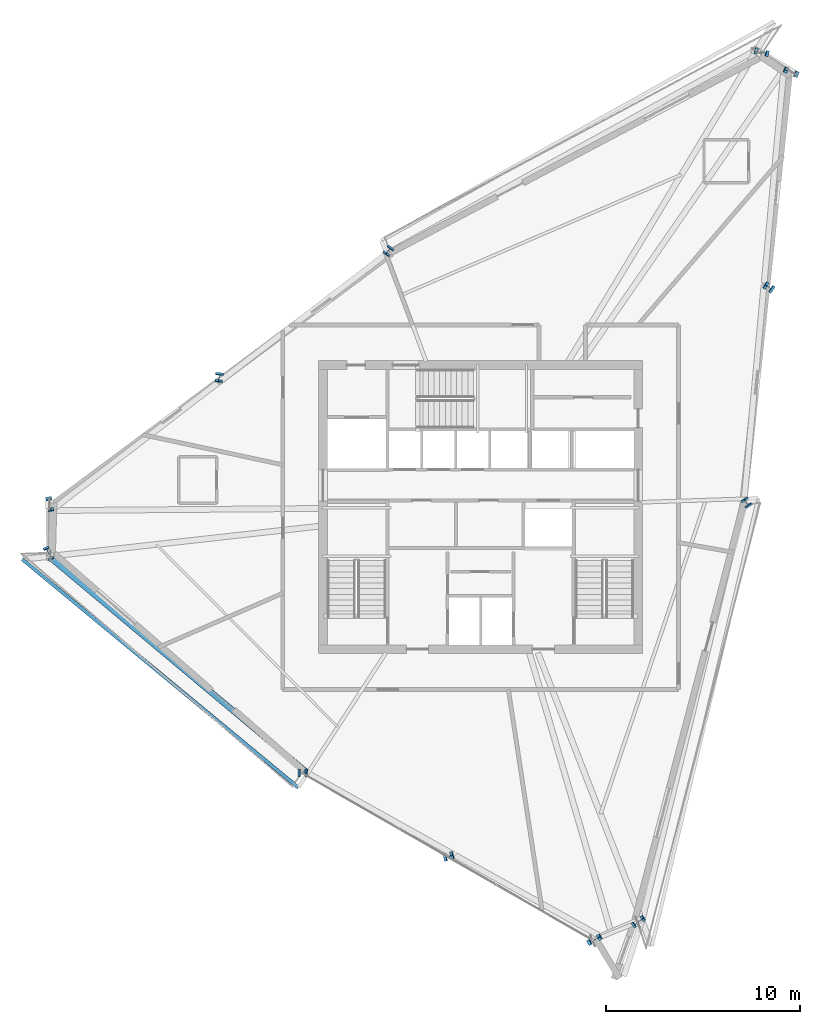
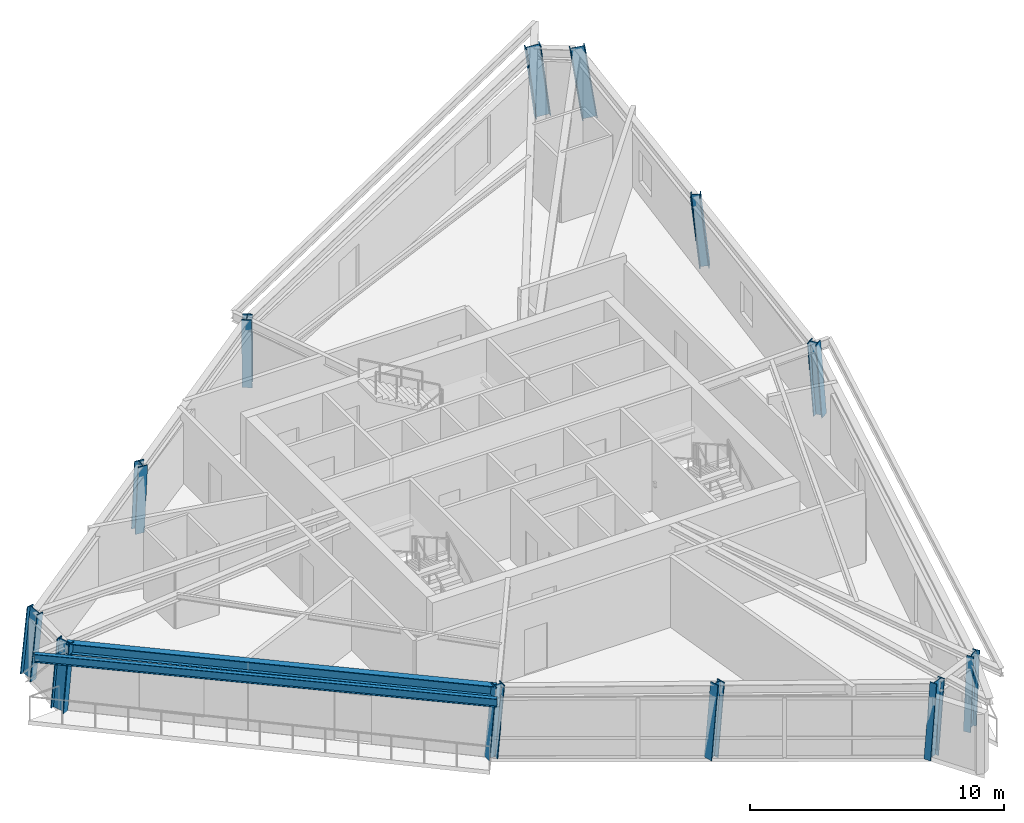
# One storey, part 1 of 13: 12 columns, 2 beams.
"""IFC4 building model written with IfcOpenShell, lengths in metres."""

from ifc_helpers import new_model, si_unit, direction, frame, origin, origin_2d, place, context, subcontext, project, spatial, i_section, extrude, source, transform, mapped, material, material_profile, profile_set, type_object, element, save


model = new_model("IFC4")

# Units and contexts
model_context = context("Model", 3, precision=1e-05, world=origin(), true_north=direction((0.0, 1.0)))
body_context = subcontext(model_context, "Body", "Model", "MODEL_VIEW")
ifc_project = project(units=[si_unit("LENGTHUNIT", "METRE"), si_unit("AREAUNIT", "SQUARE_METRE"), si_unit("VOLUMEUNIT", "CUBIC_METRE"), si_unit("PLANEANGLEUNIT", "RADIAN"), si_unit("MASSUNIT", "GRAM", prefix="KILO")], contexts=[model_context])

# Site, building, storey
site_placement = place(None, origin())
site = spatial("IfcSite", under=ifc_project, at=site_placement, CompositionType="ELEMENT")
building_placement = place(site_placement, origin())
building = spatial("IfcBuilding", under=site, at=building_placement, Name="Olszyna Solenne Hotel", CompositionType="ELEMENT")
storey_placement = place(building_placement, frame((0.0, 0.0, 263.300048828125)))
storey = spatial("IfcBuildingStorey", under=building, at=storey_placement, Name="L70", CompositionType="ELEMENT", Elevation=263.300048828125)

# Columns
ifc_material_1 = material(Name="Steel S460M", Category="steel")
ifc_material_profile_1 = material_profile(ifc_material_1, i_section(OverallWidth=0.304931640625, OverallDepth=0.6201171875, WebThickness=0.02099609375, FlangeThickness=0.0400390625, at=origin_2d()), Name="HEM 600", Category="load-bearing")
ifc_profile_set_1 = profile_set([ifc_material_profile_1], Name="Steel S460M")
column_type_1 = type_object("IfcColumnType", Name="COL-K3", PredefinedType="COLUMN", material=ifc_profile_set_1)
shared_shape_1 = source(origin(), body_context, "Body", "SweptSolid", [
    extrude(i_section(OverallWidth=0.304931640625, OverallDepth=0.6201171875, WebThickness=0.02099609375, FlangeThickness=0.0400390625, at=origin_2d()), origin(), (0.0, 0.0, 1.0), 3.4599609375),
])
column_1_placement = place(storey_placement, frame((15.780517578125, 26.832763671875, 0.0), z_axis=(0.023215571238, -0.117206880929, 0.992836131653), x_axis=(0.980942421764, 0.194298649464, 0.0)))
element("IfcColumn", 1, at=column_1_placement, inside=storey, type_object=column_type_1, Name="Perimeter framed-tube column COL-K3 C-L70-05", PredefinedType="COLUMN", context=body_context, shape_type="MappedRepresentation", body=[
    mapped(shared_shape_1, transform((0.0, 0.0, 0.0), x_axis=(1.0, 0.0, 0.0), y_axis=(0.0, 1.0, 0.0), z_axis=(0.0, 0.0, 1.0), scale=1.0)),
])
ifc_material_profile_2 = material_profile(ifc_material_1, i_section(OverallWidth=0.40087890625, OverallDepth=0.39892578125, WebThickness=0.02197265625, FlangeThickness=0.034423828125, at=origin_2d()), Name="HD 400x314", Category="load-bearing")
ifc_profile_set_2 = profile_set([ifc_material_profile_2], Name="Steel S460M")
column_type_2 = type_object("IfcColumnType", Name="COL-T5", PredefinedType="COLUMN", material=ifc_profile_set_2)
shared_shape_2 = source(origin(), body_context, "Body", "SweptSolid", [
    extrude(i_section(OverallWidth=0.40087890625, OverallDepth=0.39892578125, WebThickness=0.02197265625, FlangeThickness=0.034423828125, at=origin_2d()), origin(), (0.0, 0.0, 1.0), 3.444580078125),
])
column_2_placement = place(storey_placement, frame((33.27099609375, 39.84912109375, 0.0), z_axis=(-0.043376779188, -0.06024552665, 0.997240658791), x_axis=(0.811534341451, -0.584304725845, 0.0)))
element("IfcColumn", 2, at=column_2_placement, inside=storey, type_object=column_type_2, Name="Perimeter framed-tube column COL-T5 C-L70-03", PredefinedType="COLUMN", context=body_context, shape_type="MappedRepresentation", body=[
    mapped(shared_shape_2, transform((0.0, 0.0, 0.0), x_axis=(1.0, 0.0, 0.0), y_axis=(0.0, 1.0, 0.0), z_axis=(0.0, 0.0, 1.0), scale=1.0)),
])
shared_shape_3 = source(origin(), body_context, "Body", "SweptSolid", [
    extrude(i_section(OverallWidth=0.40087890625, OverallDepth=0.39892578125, WebThickness=0.02197265625, FlangeThickness=0.034423828125, at=origin_2d()), origin(), (0.0, 0.0, 1.0), 3.448974609375),
])
column_3_placement = place(storey_placement, frame((24.52587890625, 33.3408203125, 0.0), z_axis=(-0.010051977317, -0.088839658682, 0.995995217256), x_axis=(0.99365964574, -0.112430015693, 0.0)))
element("IfcColumn", 3, at=column_3_placement, inside=storey, type_object=column_type_2, Name="Perimeter framed-tube column COL-T5 C-L70-04", PredefinedType="COLUMN", context=body_context, shape_type="MappedRepresentation", body=[
    mapped(shared_shape_3, transform((0.0, 0.0, 0.0), x_axis=(1.0, 0.0, 0.0), y_axis=(0.0, 1.0, 0.0), z_axis=(0.0, 0.0, 1.0), scale=1.0)),
])
shared_shape_4 = source(origin(), body_context, "Body", "SweptSolid", [
    extrude(i_section(OverallWidth=0.304931640625, OverallDepth=0.6201171875, WebThickness=0.02099609375, FlangeThickness=0.0400390625, at=origin_2d()), origin(), (0.0, 0.0, 1.0), 3.44775390625),
])
column_4_placement = place(storey_placement, frame((15.708984375, 24.26416015625, 0.0), z_axis=(0.035475827357, -0.078315898318, 0.996297187462), x_axis=(0.910901618145, 0.41262360822, 0.0)))
element("IfcColumn", 4, at=column_4_placement, inside=storey, type_object=column_type_1, Name="Perimeter framed-tube column COL-K3 C-L70-06", PredefinedType="COLUMN", context=body_context, shape_type="MappedRepresentation", body=[
    mapped(shared_shape_4, transform((0.0, 0.0, 0.0), x_axis=(1.0, 0.0, 0.0), y_axis=(0.0, 1.0, 0.0), z_axis=(0.0, 0.0, 1.0), scale=1.0)),
])
shared_shape_5 = source(origin(), body_context, "Body", "SweptSolid", [
    extrude(i_section(OverallWidth=0.40087890625, OverallDepth=0.39892578125, WebThickness=0.02197265625, FlangeThickness=0.034423828125, at=origin_2d()), origin(), (0.0, 0.0, 1.0), 3.44873046875),
])
column_5_placement = place(storey_placement, frame((28.77978515625, 12.90380859375, 0.0), z_axis=(0.088773726193, -0.002052980909, 0.99604970298), x_axis=(0.023119815262, 0.999732701347, 0.0)))
element("IfcColumn", 5, at=column_5_placement, inside=storey, type_object=column_type_2, Name="Perimeter framed-tube column COL-T5 C-L70-07", PredefinedType="COLUMN", context=body_context, shape_type="MappedRepresentation", body=[
    mapped(shared_shape_5, transform((0.0, 0.0, 0.0), x_axis=(1.0, 0.0, 0.0), y_axis=(0.0, 1.0, 0.0), z_axis=(0.0, 0.0, 1.0), scale=1.0)),
])
shared_shape_6 = source(origin(), body_context, "Body", "SweptSolid", [
    extrude(i_section(OverallWidth=0.40087890625, OverallDepth=0.39892578125, WebThickness=0.02197265625, FlangeThickness=0.034423828125, at=origin_2d()), origin(), (0.0, 0.0, 1.0), 3.4541015625),
])
for number, where, z_axis, x_axis, name in (
    (6, (36.2861328125, 8.587158203125, 0.0), (0.100653191189, 0.028414735153, 0.994515730358), (-0.271684886517, 0.962386264677, 0.0), "Perimeter framed-tube column COL-T5 C-L70-08"),
    (7, (52.907958984375, 37.8974609375, 0.0), (-0.087222439843, 0.057889123364, 0.994505452667), (-0.552985061708, -0.833191167457, 0.0), "Perimeter framed-tube column COL-T5 C-L70-12"),
):
    element("IfcColumn", number, at=place(storey_placement, frame(where, z_axis=z_axis, x_axis=x_axis)), inside=storey, type_object=column_type_2, Name=name, PredefinedType="COLUMN", context=body_context, shape_type="MappedRepresentation", body=[
        mapped(shared_shape_6, transform((0.0, 0.0, 0.0), x_axis=(1.0, 0.0, 0.0), y_axis=(0.0, 1.0, 0.0), z_axis=(0.0, 0.0, 1.0), scale=1.0)),
    ])
shared_shape_7 = source(origin(), body_context, "Body", "SweptSolid", [
    extrude(i_section(OverallWidth=0.304931640625, OverallDepth=0.6201171875, WebThickness=0.02099609375, FlangeThickness=0.0400390625, at=origin_2d()), origin(), (0.0, 0.0, 1.0), 3.463134765625),
])
column_6_placement = place(storey_placement, frame((43.79248046875, 4.2705078125, 0.0), z_axis=(0.112445909673, 0.05872566944, 0.99192097122), x_axis=(-0.462926824203, 0.886396500125, 0.0)))
element("IfcColumn", 8, at=column_6_placement, inside=storey, type_object=column_type_1, Name="Perimeter framed-tube column COL-K3 C-L70-09", PredefinedType="COLUMN", context=body_context, shape_type="MappedRepresentation", body=[
    mapped(shared_shape_7, transform((0.0, 0.0, 0.0), x_axis=(1.0, 0.0, 0.0), y_axis=(0.0, 1.0, 0.0), z_axis=(0.0, 0.0, 1.0), scale=1.0)),
])
shared_shape_8 = source(origin(), body_context, "Body", "SweptSolid", [
    extrude(i_section(OverallWidth=0.304931640625, OverallDepth=0.6201171875, WebThickness=0.02099609375, FlangeThickness=0.0400390625, at=origin_2d()), origin(), (0.0, 0.0, 1.0), 3.449462890625),
])
column_7_placement = place(storey_placement, frame((46.085693359375, 5.20166015625, 0.0), z_axis=(0.07360549053, 0.054496372796, 0.995797357456), x_axis=(-0.595042724126, 0.80369406895, 0.0)))
element("IfcColumn", 9, at=column_7_placement, inside=storey, type_object=column_type_1, Name="Perimeter framed-tube column COL-K3 C-L70-10", PredefinedType="COLUMN", context=body_context, shape_type="MappedRepresentation", body=[
    mapped(shared_shape_8, transform((0.0, 0.0, 0.0), x_axis=(1.0, 0.0, 0.0), y_axis=(0.0, 1.0, 0.0), z_axis=(0.0, 0.0, 1.0), scale=1.0)),
])
shared_shape_9 = source(origin(), body_context, "Body", "SweptSolid", [
    extrude(i_section(OverallWidth=0.40087890625, OverallDepth=0.39892578125, WebThickness=0.02197265625, FlangeThickness=0.034423828125, at=origin_2d()), origin(), (0.0, 0.0, 1.0), 3.445068359375),
])
column_8_placement = place(storey_placement, frame((51.731689453125, 26.79833984375, 0.0), z_axis=(-0.042519230303, 0.063495383919, 0.997075950605), x_axis=(-0.830907176976, -0.55641105601, 0.0)))
element("IfcColumn", 10, at=column_8_placement, inside=storey, type_object=column_type_2, Name="Perimeter framed-tube column COL-T5 C-L70-11", PredefinedType="COLUMN", context=body_context, shape_type="MappedRepresentation", body=[
    mapped(shared_shape_9, transform((0.0, 0.0, 0.0), x_axis=(1.0, 0.0, 0.0), y_axis=(0.0, 1.0, 0.0), z_axis=(0.0, 0.0, 1.0), scale=1.0)),
])
shared_shape_10 = source(origin(), body_context, "Body", "SweptSolid", [
    extrude(i_section(OverallWidth=0.304931640625, OverallDepth=0.6201171875, WebThickness=0.02099609375, FlangeThickness=0.0400390625, at=origin_2d()), origin(), (0.0, 0.0, 1.0), 3.469970703125),
])
column_9_placement = place(storey_placement, frame((54.084228515625, 48.99658203125, 0.0), z_axis=(-0.131430913632, 0.052136138652, 0.989953401928), x_axis=(-0.368729509372, -0.929536738875, 0.0)))
element("IfcColumn", 11, at=column_9_placement, inside=storey, type_object=column_type_1, Name="Perimeter framed-tube column COL-K3 C-L70-01", PredefinedType="COLUMN", context=body_context, shape_type="MappedRepresentation", body=[
    mapped(shared_shape_10, transform((0.0, 0.0, 0.0), x_axis=(1.0, 0.0, 0.0), y_axis=(0.0, 1.0, 0.0), z_axis=(0.0, 0.0, 1.0), scale=1.0)),
])
shared_shape_11 = source(origin(), body_context, "Body", "SweptSolid", [
    extrude(i_section(OverallWidth=0.304931640625, OverallDepth=0.6201171875, WebThickness=0.02099609375, FlangeThickness=0.0400390625, at=origin_2d()), origin(), (0.0, 0.0, 1.0), 3.458740234375),
])
column_10_placement = place(storey_placement, frame((52.548095703125, 50.034423828125, 0.0), z_axis=(-0.112729707062, 0.029788313325, 0.99317907224), x_axis=(-0.255476541917, -0.966815254601, 0.0)))
element("IfcColumn", 12, at=column_10_placement, inside=storey, type_object=column_type_1, Name="Perimeter framed-tube column COL-K3 C-L70-02", PredefinedType="COLUMN", context=body_context, shape_type="MappedRepresentation", body=[
    mapped(shared_shape_11, transform((0.0, 0.0, 0.0), x_axis=(1.0, 0.0, 0.0), y_axis=(0.0, 1.0, 0.0), z_axis=(0.0, 0.0, 1.0), scale=1.0)),
])

# Beams
ifc_material_2 = material(Name="Steel S355J2", Category="steel")
ifc_material_profile_3 = material_profile(ifc_material_2, i_section(OverallWidth=0.300048828125, OverallDepth=0.5, WebThickness=0.014404296875, FlangeThickness=0.028076171875, at=origin_2d()), Name="HEB 500", Category="load-bearing")
ifc_profile_set_3 = profile_set([ifc_material_profile_3], Name="Steel S355J2")
beam_type_1 = type_object("IfcBeamType", Name="BM-S3", PredefinedType="BEAM", material=ifc_profile_set_3)
shared_shape_12 = source(origin(), body_context, "Body", "SweptSolid", [
    extrude(i_section(OverallWidth=0.300048828125, OverallDepth=0.5, WebThickness=0.014404296875, FlangeThickness=0.028076171875, at=origin_2d()), origin(), (0.0, 0.0, 1.0), 17.1669921875),
])
beam_1_placement = place(storey_placement, frame((15.877197265625, 23.955810546875, 3.1298828125), z_axis=(0.766738789021, -0.641959211641, 0.0), x_axis=(0.641959211641, 0.766738789021, 0.0)))
element("IfcBeam", 13, at=beam_1_placement, inside=storey, type_object=beam_type_1, Name="Perimeter spandrel beam BM-S3 B-L70-2059", PredefinedType="BEAM", context=body_context, shape_type="MappedRepresentation", body=[
    mapped(shared_shape_12, transform((0.0, 0.0, 0.0), x_axis=(1.0, 0.0, 0.0), y_axis=(0.0, 1.0, 0.0), z_axis=(0.0, 0.0, 1.0), scale=1.0)),
])
ifc_material_profile_4 = material_profile(ifc_material_2, i_section(OverallWidth=0.179931640625, OverallDepth=0.39990234375, WebThickness=0.008544921875, FlangeThickness=0.013427734375, at=origin_2d()), Name="IPE 400", Category="load-bearing")
ifc_profile_set_4 = profile_set([ifc_material_profile_4], Name="Steel S355J2")
beam_type_2 = type_object("IfcBeamType", Name="BM-F5", PredefinedType="BEAM", material=ifc_profile_set_4)
shared_shape_13 = source(origin(), body_context, "Body", "SweptSolid", [
    extrude(i_section(OverallWidth=0.179931640625, OverallDepth=0.39990234375, WebThickness=0.008544921875, FlangeThickness=0.013427734375, at=origin_2d()), origin(), (0.0, 0.0, 1.0), 18.455078125),
])
beam_2_placement = place(storey_placement, frame((14.3818359375, 23.91162109375, 3.179931640625), z_axis=(0.770558308139, -0.637369511161, 0.0), x_axis=(0.637369511161, 0.770558308139, 0.0)))
element("IfcBeam", 14, at=beam_2_placement, inside=storey, type_object=beam_type_2, Name="Loggia outer edge beam BM-F5 B-L70-2080", PredefinedType="BEAM", context=body_context, shape_type="MappedRepresentation", body=[
    mapped(shared_shape_13, transform((0.0, 0.0, 0.0), x_axis=(1.0, 0.0, 0.0), y_axis=(0.0, 1.0, 0.0), z_axis=(0.0, 0.0, 1.0), scale=1.0)),
])

save(model, "model.ifc")
